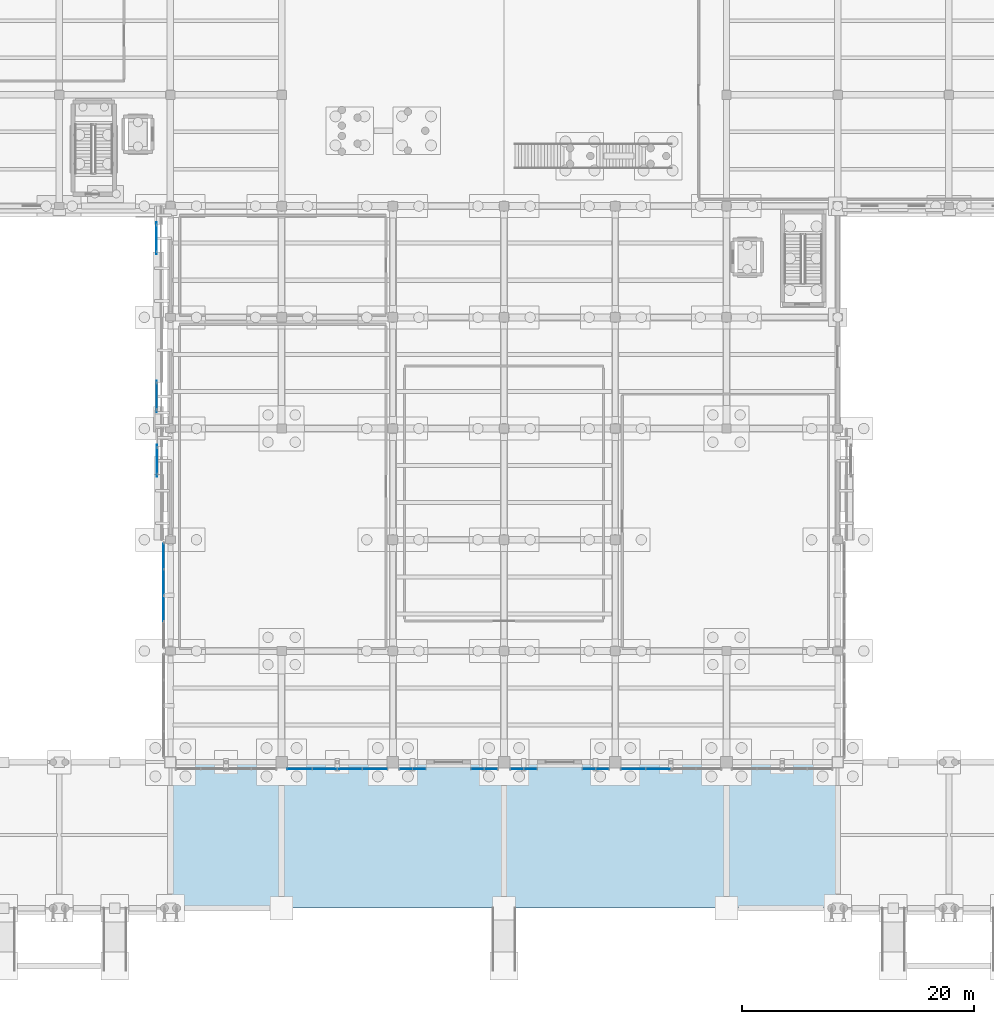
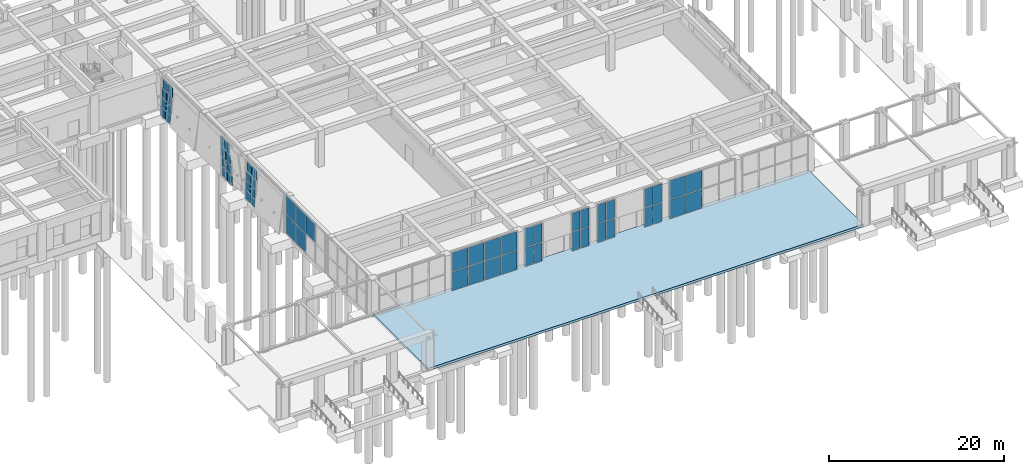
# One storey, part 24 of 51: 57 plates, 1 slab, 10 elements without a shape of their own.
"""IFC4 building model written with IfcOpenShell, lengths in metres."""

from ifc_helpers import new_model, si_unit, direction, frame, origin, origin_2d, place, context, subcontext, project, spatial, polyline, rectangle, outline, extrude, material, layer, layer_set, type_object, element, aggregate, save


model = new_model("IFC4")

# Units and contexts
model_context = context("Model", 3, precision=1e-05, world=origin(), true_north=direction((0.0, 1.0)))
body_context = subcontext(model_context, "Body", "Model", "MODEL_VIEW")
ifc_project = project(units=[si_unit("LENGTHUNIT", "METRE"), si_unit("AREAUNIT", "SQUARE_METRE"), si_unit("VOLUMEUNIT", "CUBIC_METRE"), si_unit("PLANEANGLEUNIT", "RADIAN"), si_unit("MASSUNIT", "GRAM", prefix="KILO")], contexts=[model_context])

# Site, building, storey
site_placement = place(None, origin())
site = spatial("IfcSite", under=ifc_project, at=site_placement, CompositionType="ELEMENT")
building_placement = place(site_placement, origin())
building = spatial("IfcBuilding", under=site, at=building_placement, Name="Bempovik Park Faculty of Sciences", CompositionType="ELEMENT")
storey_placement = place(building_placement, origin())
storey = spatial("IfcBuildingStorey", under=building, at=storey_placement, Name="L00", CompositionType="ELEMENT", Elevation=0.0)

# Curtain wall, plates
ifc_material_1 = material(Name="Tempered laminated low-E glass", Category="glass")
ifc_layer_1 = layer(ifc_material_1, 0.159912109375)
ifc_layer_set_1 = layer_set([ifc_layer_1], Name="Tempered laminated low-E glass")
curtain_wall_type_1 = type_object("IfcCurtainWallType", Name="CW-57 Curtain 7200x5100", PredefinedType="USERDEFINED", material=ifc_layer_set_1)
curtain_wall_1_placement = place(storey_placement, origin())
curtain_wall_1 = element("IfcCurtainWall", 1, at=curtain_wall_1_placement, inside=storey, type_object=curtain_wall_type_1, Name="L00 Recessed Entrance Foyer Curtain Wall (69.6-79.2)", ObjectType="UNITISED CURTAIN WALL", PredefinedType="USERDEFINED")
ifc_layer_2 = layer(ifc_material_1, 0.0400390625)
ifc_layer_set_2 = layer_set([ifc_layer_2], Name="Tempered laminated low-E glass")
plate_type_1 = type_object("IfcPlateType", Name="CP-15 Curtain Panel 40mm", PredefinedType="CURTAIN_PANEL", material=ifc_layer_set_2)
plate_1_placement = place(storey_placement, frame((71.146484375, 19.219970703125, 0.0400390625), z_axis=(0.0, 0.0, 1.0), x_axis=(1.0, 0.0, 0.0)))
plate_1 = element("IfcPlate", 2, at=plate_1_placement, type_object=plate_type_1, Name="CW-FOY-L00-198-696 Panel 0-0", PredefinedType="CURTAIN_PANEL", context=body_context, shape_type="SweptSolid", body=[
    extrude(rectangle(XDim=2.089111328125, YDim=0.035888671875, at=origin_2d()), origin(), (0.0, 0.0, 1.0), 2.6201171875),
])
plate_2_placement = place(storey_placement, frame((71.146484375, 19.219970703125, 2.739990234375), z_axis=(0.0, 0.0, 1.0), x_axis=(1.0, 0.0, 0.0)))
plate_2 = element("IfcPlate", 3, at=plate_2_placement, type_object=plate_type_1, Name="CW-FOY-L00-198-696 Panel 0-1", PredefinedType="CURTAIN_PANEL", context=body_context, shape_type="SweptSolid", body=[
    extrude(rectangle(XDim=2.089111328125, YDim=0.035888671875, at=origin_2d()), origin(), (0.0, 0.0, 1.0), 2.6201171875),
])
plate_3_placement = place(storey_placement, frame((73.3154296875, 19.219970703125, 0.0400390625), z_axis=(0.0, 0.0, 1.0), x_axis=(1.0, 0.0, 0.0)))
plate_3 = element("IfcPlate", 4, at=plate_3_placement, type_object=plate_type_1, Name="CW-FOY-L00-198-696 Panel 1-0", PredefinedType="CURTAIN_PANEL", context=body_context, shape_type="SweptSolid", body=[
    extrude(rectangle(XDim=2.089111328125, YDim=0.035888671875, at=origin_2d()), origin(), (0.0, 0.0, 1.0), 2.6201171875),
])
plate_4_placement = place(storey_placement, frame((73.3154296875, 19.219970703125, 2.739990234375), z_axis=(0.0, 0.0, 1.0), x_axis=(1.0, 0.0, 0.0)))
plate_4 = element("IfcPlate", 5, at=plate_4_placement, type_object=plate_type_1, Name="CW-FOY-L00-198-696 Panel 1-1", PredefinedType="CURTAIN_PANEL", context=body_context, shape_type="SweptSolid", body=[
    extrude(rectangle(XDim=2.089111328125, YDim=0.035888671875, at=origin_2d()), origin(), (0.0, 0.0, 1.0), 2.6201171875),
])
plate_5_placement = place(storey_placement, frame((75.484619140625, 19.219970703125, 0.0400390625), z_axis=(0.0, 0.0, 1.0), x_axis=(1.0, 0.0, 0.0)))
plate_5 = element("IfcPlate", 6, at=plate_5_placement, type_object=plate_type_1, Name="CW-FOY-L00-198-696 Panel 2-0", PredefinedType="CURTAIN_PANEL", context=body_context, shape_type="SweptSolid", body=[
    extrude(rectangle(XDim=2.089111328125, YDim=0.035888671875, at=origin_2d()), origin(), (0.0, 0.0, 1.0), 2.6201171875),
])
plate_6_placement = place(storey_placement, frame((75.484619140625, 19.219970703125, 2.739990234375), z_axis=(0.0, 0.0, 1.0), x_axis=(1.0, 0.0, 0.0)))
plate_6 = element("IfcPlate", 7, at=plate_6_placement, type_object=plate_type_1, Name="CW-FOY-L00-198-696 Panel 2-1", PredefinedType="CURTAIN_PANEL", context=body_context, shape_type="SweptSolid", body=[
    extrude(rectangle(XDim=2.089111328125, YDim=0.035888671875, at=origin_2d()), origin(), (0.0, 0.0, 1.0), 2.6201171875),
])
plate_7_placement = place(storey_placement, frame((77.653564453125, 19.219970703125, 0.0400390625), z_axis=(0.0, 0.0, 1.0), x_axis=(1.0, 0.0, 0.0)))
plate_7 = element("IfcPlate", 8, at=plate_7_placement, type_object=plate_type_1, Name="CW-FOY-L00-198-696 Panel 3-0", PredefinedType="CURTAIN_PANEL", context=body_context, shape_type="SweptSolid", body=[
    extrude(rectangle(XDim=2.089111328125, YDim=0.035888671875, at=origin_2d()), origin(), (0.0, 0.0, 1.0), 2.6201171875),
])
plate_8_placement = place(storey_placement, frame((77.653564453125, 19.219970703125, 2.739990234375), z_axis=(0.0, 0.0, 1.0), x_axis=(1.0, 0.0, 0.0)))
plate_8 = element("IfcPlate", 9, at=plate_8_placement, type_object=plate_type_1, Name="CW-FOY-L00-198-696 Panel 3-1", PredefinedType="CURTAIN_PANEL", context=body_context, shape_type="SweptSolid", body=[
    extrude(rectangle(XDim=2.089111328125, YDim=0.035888671875, at=origin_2d()), origin(), (0.0, 0.0, 1.0), 2.6201171875),
])
aggregate(curtain_wall_1, [plate_1, plate_2, plate_3, plate_4, plate_5, plate_6, plate_7, plate_8])

ifc_layer_3 = layer(ifc_material_1, 0.159912109375)
ifc_layer_set_3 = layer_set([ifc_layer_3], Name="Tempered laminated low-E glass")
curtain_wall_type_2 = type_object("IfcCurtainWallType", Name="CW-27 Curtain 6000x5100", PredefinedType="USERDEFINED", material=ifc_layer_set_3)
curtain_wall_2_placement = place(storey_placement, origin())
curtain_wall_2 = element("IfcCurtainWall", 10, at=curtain_wall_2_placement, inside=storey, type_object=curtain_wall_type_2, Name="L00 Recessed Entrance Foyer Curtain Wall (79.2L)", ObjectType="UNITISED CURTAIN WALL", PredefinedType="USERDEFINED")
plate_9_placement = place(storey_placement, frame((80.321533203125, 19.219970703125, 0.0400390625), z_axis=(0.0, 0.0, 1.0), x_axis=(1.0, 0.0, 0.0)))
plate_9 = element("IfcPlate", 11, at=plate_9_placement, type_object=plate_type_1, Name="CW-FOY-L00-792L Panel 0-0", PredefinedType="CURTAIN_PANEL", context=body_context, shape_type="SweptSolid", body=[
    extrude(rectangle(XDim=1.0791015625, YDim=0.035888671875, at=origin_2d()), origin(), (0.0, 0.0, 1.0), 2.6201171875),
])
plate_10_placement = place(storey_placement, frame((80.321533203125, 19.219970703125, 2.739990234375), z_axis=(0.0, 0.0, 1.0), x_axis=(1.0, 0.0, 0.0)))
plate_10 = element("IfcPlate", 12, at=plate_10_placement, type_object=plate_type_1, Name="CW-FOY-L00-792L Panel 0-1", PredefinedType="CURTAIN_PANEL", context=body_context, shape_type="SweptSolid", body=[
    extrude(rectangle(XDim=1.0791015625, YDim=0.035888671875, at=origin_2d()), origin(), (0.0, 0.0, 1.0), 2.6201171875),
])
plate_11_placement = place(storey_placement, frame((81.48046875, 19.219970703125, 0.0400390625), z_axis=(0.0, 0.0, 1.0), x_axis=(1.0, 0.0, 0.0)))
plate_11 = element("IfcPlate", 13, at=plate_11_placement, type_object=plate_type_1, Name="CW-FOY-L00-792L Panel 1-0", PredefinedType="CURTAIN_PANEL", context=body_context, shape_type="SweptSolid", body=[
    extrude(rectangle(XDim=1.0791015625, YDim=0.035888671875, at=origin_2d()), origin(), (0.0, 0.0, 1.0), 2.6201171875),
])
plate_12_placement = place(storey_placement, frame((81.48046875, 19.219970703125, 2.739990234375), z_axis=(0.0, 0.0, 1.0), x_axis=(1.0, 0.0, 0.0)))
plate_12 = element("IfcPlate", 14, at=plate_12_placement, type_object=plate_type_1, Name="CW-FOY-L00-792L Panel 1-1", PredefinedType="CURTAIN_PANEL", context=body_context, shape_type="SweptSolid", body=[
    extrude(rectangle(XDim=1.0791015625, YDim=0.035888671875, at=origin_2d()), origin(), (0.0, 0.0, 1.0), 2.6201171875),
])
aggregate(curtain_wall_2, [plate_9, plate_10, plate_11, plate_12])

curtain_wall_3_placement = place(storey_placement, origin())
curtain_wall_3 = element("IfcCurtainWall", 15, at=curtain_wall_3_placement, inside=storey, type_object=curtain_wall_type_2, Name="L00 Recessed Entrance Foyer Curtain Wall (79.2R)", ObjectType="UNITISED CURTAIN WALL", PredefinedType="USERDEFINED")
plate_13_placement = place(storey_placement, frame((86.51953125, 19.219970703125, 0.0400390625), z_axis=(0.0, 0.0, 1.0), x_axis=(1.0, 0.0, 0.0)))
plate_13 = element("IfcPlate", 16, at=plate_13_placement, type_object=plate_type_1, Name="CW-FOY-L00-792R Panel 0-0", PredefinedType="CURTAIN_PANEL", context=body_context, shape_type="SweptSolid", body=[
    extrude(rectangle(XDim=1.0791015625, YDim=0.035888671875, at=origin_2d()), origin(), (0.0, 0.0, 1.0), 2.6201171875),
])
plate_14_placement = place(storey_placement, frame((86.51953125, 19.219970703125, 2.739990234375), z_axis=(0.0, 0.0, 1.0), x_axis=(1.0, 0.0, 0.0)))
plate_14 = element("IfcPlate", 17, at=plate_14_placement, type_object=plate_type_1, Name="CW-FOY-L00-792R Panel 0-1", PredefinedType="CURTAIN_PANEL", context=body_context, shape_type="SweptSolid", body=[
    extrude(rectangle(XDim=1.0791015625, YDim=0.035888671875, at=origin_2d()), origin(), (0.0, 0.0, 1.0), 2.6201171875),
])
plate_15_placement = place(storey_placement, frame((87.678466796875, 19.219970703125, 0.0400390625), z_axis=(0.0, 0.0, 1.0), x_axis=(1.0, 0.0, 0.0)))
plate_15 = element("IfcPlate", 18, at=plate_15_placement, type_object=plate_type_1, Name="CW-FOY-L00-792R Panel 1-0", PredefinedType="CURTAIN_PANEL", context=body_context, shape_type="SweptSolid", body=[
    extrude(rectangle(XDim=1.0791015625, YDim=0.035888671875, at=origin_2d()), origin(), (0.0, 0.0, 1.0), 2.6201171875),
])
plate_16_placement = place(storey_placement, frame((87.678466796875, 19.219970703125, 2.739990234375), z_axis=(0.0, 0.0, 1.0), x_axis=(1.0, 0.0, 0.0)))
plate_16 = element("IfcPlate", 19, at=plate_16_placement, type_object=plate_type_1, Name="CW-FOY-L00-792R Panel 1-1", PredefinedType="CURTAIN_PANEL", context=body_context, shape_type="SweptSolid", body=[
    extrude(rectangle(XDim=1.0791015625, YDim=0.035888671875, at=origin_2d()), origin(), (0.0, 0.0, 1.0), 2.6201171875),
])
aggregate(curtain_wall_3, [plate_13, plate_14, plate_15, plate_16])

curtain_wall_4_placement = place(storey_placement, origin())
curtain_wall_4 = element("IfcCurtainWall", 20, at=curtain_wall_4_placement, inside=storey, type_object=curtain_wall_type_2, Name="L00 Recessed Entrance Foyer Curtain Wall (88.8L)", ObjectType="UNITISED CURTAIN WALL", PredefinedType="USERDEFINED")
plate_17_placement = place(storey_placement, frame((89.92138671875, 19.219970703125, 0.0400390625), z_axis=(0.0, 0.0, 1.0), x_axis=(1.0, 0.0, 0.0)))
plate_17 = element("IfcPlate", 21, at=plate_17_placement, type_object=plate_type_1, Name="CW-FOY-L00-888L Panel 0-0", PredefinedType="CURTAIN_PANEL", context=body_context, shape_type="SweptSolid", body=[
    extrude(rectangle(XDim=1.0791015625, YDim=0.035888671875, at=origin_2d()), origin(), (0.0, 0.0, 1.0), 2.6201171875),
])
plate_18_placement = place(storey_placement, frame((89.92138671875, 19.219970703125, 2.739990234375), z_axis=(0.0, 0.0, 1.0), x_axis=(1.0, 0.0, 0.0)))
plate_18 = element("IfcPlate", 22, at=plate_18_placement, type_object=plate_type_1, Name="CW-FOY-L00-888L Panel 0-1", PredefinedType="CURTAIN_PANEL", context=body_context, shape_type="SweptSolid", body=[
    extrude(rectangle(XDim=1.0791015625, YDim=0.035888671875, at=origin_2d()), origin(), (0.0, 0.0, 1.0), 2.6201171875),
])
plate_19_placement = place(storey_placement, frame((91.08056640625, 19.219970703125, 0.0400390625), z_axis=(0.0, 0.0, 1.0), x_axis=(1.0, 0.0, 0.0)))
plate_19 = element("IfcPlate", 23, at=plate_19_placement, type_object=plate_type_1, Name="CW-FOY-L00-888L Panel 1-0", PredefinedType="CURTAIN_PANEL", context=body_context, shape_type="SweptSolid", body=[
    extrude(rectangle(XDim=1.0791015625, YDim=0.035888671875, at=origin_2d()), origin(), (0.0, 0.0, 1.0), 2.6201171875),
])
plate_20_placement = place(storey_placement, frame((91.08056640625, 19.219970703125, 2.739990234375), z_axis=(0.0, 0.0, 1.0), x_axis=(1.0, 0.0, 0.0)))
plate_20 = element("IfcPlate", 24, at=plate_20_placement, type_object=plate_type_1, Name="CW-FOY-L00-888L Panel 1-1", PredefinedType="CURTAIN_PANEL", context=body_context, shape_type="SweptSolid", body=[
    extrude(rectangle(XDim=1.0791015625, YDim=0.035888671875, at=origin_2d()), origin(), (0.0, 0.0, 1.0), 2.6201171875),
])
aggregate(curtain_wall_4, [plate_17, plate_18, plate_19, plate_20])

curtain_wall_5_placement = place(storey_placement, origin())
curtain_wall_5 = element("IfcCurtainWall", 25, at=curtain_wall_5_placement, inside=storey, type_object=curtain_wall_type_2, Name="L00 Recessed Entrance Foyer Curtain Wall (88.8R)", ObjectType="UNITISED CURTAIN WALL", PredefinedType="USERDEFINED")
plate_21_placement = place(storey_placement, frame((96.119384765625, 19.219970703125, 0.0400390625), z_axis=(0.0, 0.0, 1.0), x_axis=(1.0, 0.0, 0.0)))
plate_21 = element("IfcPlate", 26, at=plate_21_placement, type_object=plate_type_1, Name="CW-FOY-L00-888R Panel 0-0", PredefinedType="CURTAIN_PANEL", context=body_context, shape_type="SweptSolid", body=[
    extrude(rectangle(XDim=1.0791015625, YDim=0.035888671875, at=origin_2d()), origin(), (0.0, 0.0, 1.0), 2.6201171875),
])
plate_22_placement = place(storey_placement, frame((96.119384765625, 19.219970703125, 2.739990234375), z_axis=(0.0, 0.0, 1.0), x_axis=(1.0, 0.0, 0.0)))
plate_22 = element("IfcPlate", 27, at=plate_22_placement, type_object=plate_type_1, Name="CW-FOY-L00-888R Panel 0-1", PredefinedType="CURTAIN_PANEL", context=body_context, shape_type="SweptSolid", body=[
    extrude(rectangle(XDim=1.0791015625, YDim=0.035888671875, at=origin_2d()), origin(), (0.0, 0.0, 1.0), 2.6201171875),
])
plate_23_placement = place(storey_placement, frame((97.278564453125, 19.219970703125, 0.0400390625), z_axis=(0.0, 0.0, 1.0), x_axis=(1.0, 0.0, 0.0)))
plate_23 = element("IfcPlate", 28, at=plate_23_placement, type_object=plate_type_1, Name="CW-FOY-L00-888R Panel 1-0", PredefinedType="CURTAIN_PANEL", context=body_context, shape_type="SweptSolid", body=[
    extrude(rectangle(XDim=1.0791015625, YDim=0.035888671875, at=origin_2d()), origin(), (0.0, 0.0, 1.0), 2.6201171875),
])
plate_24_placement = place(storey_placement, frame((97.278564453125, 19.219970703125, 2.739990234375), z_axis=(0.0, 0.0, 1.0), x_axis=(1.0, 0.0, 0.0)))
plate_24 = element("IfcPlate", 29, at=plate_24_placement, type_object=plate_type_1, Name="CW-FOY-L00-888R Panel 1-1", PredefinedType="CURTAIN_PANEL", context=body_context, shape_type="SweptSolid", body=[
    extrude(rectangle(XDim=1.0791015625, YDim=0.035888671875, at=origin_2d()), origin(), (0.0, 0.0, 1.0), 2.6201171875),
])
aggregate(curtain_wall_5, [plate_21, plate_22, plate_23, plate_24])

curtain_wall_6_placement = place(storey_placement, origin())
curtain_wall_6 = element("IfcCurtainWall", 30, at=curtain_wall_6_placement, inside=storey, type_object=curtain_wall_type_1, Name="L00 Recessed Entrance Foyer Curtain Wall (98.4-108.0)", ObjectType="UNITISED CURTAIN WALL", PredefinedType="USERDEFINED")
plate_25_placement = place(storey_placement, frame((99.946533203125, 19.219970703125, 0.0400390625), z_axis=(0.0, 0.0, 1.0), x_axis=(1.0, 0.0, 0.0)))
plate_25 = element("IfcPlate", 31, at=plate_25_placement, type_object=plate_type_1, Name="CW-FOY-L00-198-984 Panel 0-0", PredefinedType="CURTAIN_PANEL", context=body_context, shape_type="SweptSolid", body=[
    extrude(rectangle(XDim=2.089111328125, YDim=0.035888671875, at=origin_2d()), origin(), (0.0, 0.0, 1.0), 2.6201171875),
])
plate_26_placement = place(storey_placement, frame((99.946533203125, 19.219970703125, 2.739990234375), z_axis=(0.0, 0.0, 1.0), x_axis=(1.0, 0.0, 0.0)))
plate_26 = element("IfcPlate", 32, at=plate_26_placement, type_object=plate_type_1, Name="CW-FOY-L00-198-984 Panel 0-1", PredefinedType="CURTAIN_PANEL", context=body_context, shape_type="SweptSolid", body=[
    extrude(rectangle(XDim=2.089111328125, YDim=0.035888671875, at=origin_2d()), origin(), (0.0, 0.0, 1.0), 2.6201171875),
])
plate_27_placement = place(storey_placement, frame((102.115478515625, 19.219970703125, 0.0400390625), z_axis=(0.0, 0.0, 1.0), x_axis=(1.0, 0.0, 0.0)))
plate_27 = element("IfcPlate", 33, at=plate_27_placement, type_object=plate_type_1, Name="CW-FOY-L00-198-984 Panel 1-0", PredefinedType="CURTAIN_PANEL", context=body_context, shape_type="SweptSolid", body=[
    extrude(rectangle(XDim=2.089111328125, YDim=0.035888671875, at=origin_2d()), origin(), (0.0, 0.0, 1.0), 2.6201171875),
])
plate_28_placement = place(storey_placement, frame((102.115478515625, 19.219970703125, 2.739990234375), z_axis=(0.0, 0.0, 1.0), x_axis=(1.0, 0.0, 0.0)))
plate_28 = element("IfcPlate", 34, at=plate_28_placement, type_object=plate_type_1, Name="CW-FOY-L00-198-984 Panel 1-1", PredefinedType="CURTAIN_PANEL", context=body_context, shape_type="SweptSolid", body=[
    extrude(rectangle(XDim=2.089111328125, YDim=0.035888671875, at=origin_2d()), origin(), (0.0, 0.0, 1.0), 2.6201171875),
])
aggregate(curtain_wall_6, [plate_25, plate_26, plate_27, plate_28])

curtain_wall_7_placement = place(storey_placement, origin())
curtain_wall_7 = element("IfcCurtainWall", 35, at=curtain_wall_7_placement, inside=storey, type_object=curtain_wall_type_1, Name="L00 Recessed Entrance Foyer Curtain Wall (29.4-39.0)", ObjectType="UNITISED CURTAIN WALL", PredefinedType="USERDEFINED")
plate_29_placement = place(storey_placement, frame((59.419921875, 33.07177734375, 2.739990234375), z_axis=(0.0, 0.0, 1.0), x_axis=(0.0, 1.0, 0.0)))
plate_29 = element("IfcPlate", 36, at=plate_29_placement, type_object=plate_type_1, Name="CW-FOY-L00-600-294 Panel 1-1", PredefinedType="CURTAIN_PANEL", context=body_context, shape_type="SweptSolid", body=[
    extrude(rectangle(XDim=2.176513671875, YDim=0.035888671875, at=origin_2d()), origin(), (0.0, 0.0, 1.0), 2.6201171875),
])
plate_30_placement = place(storey_placement, frame((59.419921875, 35.328125, 0.0400390625), z_axis=(0.0, 0.0, 1.0), x_axis=(0.0, 1.0, 0.0)))
plate_30 = element("IfcPlate", 37, at=plate_30_placement, type_object=plate_type_1, Name="CW-FOY-L00-600-294 Panel 2-0", PredefinedType="CURTAIN_PANEL", context=body_context, shape_type="SweptSolid", body=[
    extrude(rectangle(XDim=2.176513671875, YDim=0.035888671875, at=origin_2d()), origin(), (0.0, 0.0, 1.0), 2.6201171875),
])
plate_31_placement = place(storey_placement, frame((59.419921875, 35.328125, 2.739990234375), z_axis=(0.0, 0.0, 1.0), x_axis=(0.0, 1.0, 0.0)))
plate_31 = element("IfcPlate", 38, at=plate_31_placement, type_object=plate_type_1, Name="CW-FOY-L00-600-294 Panel 2-1", PredefinedType="CURTAIN_PANEL", context=body_context, shape_type="SweptSolid", body=[
    extrude(rectangle(XDim=2.176513671875, YDim=0.035888671875, at=origin_2d()), origin(), (0.0, 0.0, 1.0), 2.6201171875),
])
plate_32_placement = place(storey_placement, frame((59.419921875, 37.584716796875, 0.0400390625), z_axis=(0.0, 0.0, 1.0), x_axis=(0.0, 1.0, 0.0)))
plate_32 = element("IfcPlate", 39, at=plate_32_placement, type_object=plate_type_1, Name="CW-FOY-L00-600-294 Panel 3-0", PredefinedType="CURTAIN_PANEL", context=body_context, shape_type="SweptSolid", body=[
    extrude(rectangle(XDim=2.176513671875, YDim=0.035888671875, at=origin_2d()), origin(), (0.0, 0.0, 1.0), 2.6201171875),
])
plate_33_placement = place(storey_placement, frame((59.419921875, 37.584716796875, 2.739990234375), z_axis=(0.0, 0.0, 1.0), x_axis=(0.0, 1.0, 0.0)))
plate_33 = element("IfcPlate", 40, at=plate_33_placement, type_object=plate_type_1, Name="CW-FOY-L00-600-294 Panel 3-1", PredefinedType="CURTAIN_PANEL", context=body_context, shape_type="SweptSolid", body=[
    extrude(rectangle(XDim=2.176513671875, YDim=0.035888671875, at=origin_2d()), origin(), (0.0, 0.0, 1.0), 2.6201171875),
])
aggregate(curtain_wall_7, [plate_29, plate_30, plate_31, plate_32, plate_33])

ifc_layer_4 = layer(ifc_material_1, 0.159912109375)
ifc_layer_set_4 = layer_set([ifc_layer_4], Name="Tempered laminated low-E glass")
curtain_wall_type_3 = type_object("IfcCurtainWallType", Name="CW-59 Curtain 2400x4500", PredefinedType="USERDEFINED", material=ifc_layer_set_4)
curtain_wall_8_placement = place(storey_placement, origin())
curtain_wall_8 = element("IfcCurtainWall", 41, at=curtain_wall_8_placement, inside=storey, type_object=curtain_wall_type_3, Name="L00 Crystal Slantwise Light Fold (60.0,39.0)", ObjectType="UNITISED CURTAIN WALL", PredefinedType="USERDEFINED")
ifc_layer_5 = layer(ifc_material_1, 0.035888671875)
ifc_layer_set_5 = layer_set([ifc_layer_5], Name="Tempered laminated low-E glass")
plate_type_2 = type_object("IfcPlateType", Name="CP-22 Curtain Panel 36mm", PredefinedType="CURTAIN_PANEL", material=ifc_layer_set_5)
plate_34_placement = place(storey_placement, frame((58.855712890625, 45.5048828125, 0.0), z_axis=(0.0, 0.0, 1.0), x_axis=(0.0, 1.0, 0.0)))
plate_34 = element("IfcPlate", 42, at=plate_34_placement, type_object=plate_type_2, Name="CW-FOLD-L00-600-390 Panel 0-0", PredefinedType="CURTAIN_PANEL", context=body_context, shape_type="SweptSolid", body=[
    extrude(rectangle(XDim=1.070068359375, YDim=0.035888671875, at=origin_2d()), origin(), (0.0, 0.0, 1.0), 1.2900390625),
])
plate_35_placement = place(storey_placement, frame((58.855712890625, 45.3349609375, 1.369873046875), z_axis=(0.0, 0.0, 1.0), x_axis=(0.0, 1.0, 0.0)))
plate_35 = element("IfcPlate", 43, at=plate_35_placement, type_object=plate_type_2, Name="CW-FOLD-L00-600-390 Panel 0-1", PredefinedType="CURTAIN_PANEL", context=body_context, shape_type="SweptSolid", body=[
    extrude(rectangle(XDim=1.070068359375, YDim=0.035888671875, at=origin_2d()), origin(), (0.0, 0.0, 1.0), 1.2900390625),
])
plate_36_placement = place(storey_placement, frame((58.855712890625, 45.1650390625, 2.739990234375), z_axis=(0.0, 0.0, 1.0), x_axis=(0.0, 1.0, 0.0)))
plate_36 = element("IfcPlate", 44, at=plate_36_placement, type_object=plate_type_2, Name="CW-FOLD-L00-600-390 Panel 0-2", PredefinedType="CURTAIN_PANEL", context=body_context, shape_type="SweptSolid", body=[
    extrude(rectangle(XDim=1.070068359375, YDim=0.035888671875, at=origin_2d()), origin(), (0.0, 0.0, 1.0), 1.2900390625),
])
plate_37_placement = place(storey_placement, frame((58.855712890625, 44.9951171875, 4.10986328125), z_axis=(0.0, 0.0, 1.0), x_axis=(0.0, 1.0, 0.0)))
plate_37 = element("IfcPlate", 45, at=plate_37_placement, type_object=plate_type_2, Name="CW-FOLD-L00-600-390 Panel 0-3", PredefinedType="CURTAIN_PANEL", context=body_context, shape_type="SweptSolid", body=[
    extrude(rectangle(XDim=1.070068359375, YDim=0.035888671875, at=origin_2d()), origin(), (0.0, 0.0, 1.0), 1.2900390625),
])
plate_38_placement = place(storey_placement, frame((58.855712890625, 46.655029296875, 0.0), z_axis=(0.0, 0.0, 1.0), x_axis=(0.0, 1.0, 0.0)))
plate_38 = element("IfcPlate", 46, at=plate_38_placement, type_object=plate_type_2, Name="CW-FOLD-L00-600-390 Panel 1-0", PredefinedType="CURTAIN_PANEL", context=body_context, shape_type="SweptSolid", body=[
    extrude(rectangle(XDim=1.070068359375, YDim=0.035888671875, at=origin_2d()), origin(), (0.0, 0.0, 1.0), 1.2900390625),
])
plate_39_placement = place(storey_placement, frame((58.855712890625, 46.485107421875, 1.369873046875), z_axis=(0.0, 0.0, 1.0), x_axis=(0.0, 1.0, 0.0)))
plate_39 = element("IfcPlate", 47, at=plate_39_placement, type_object=plate_type_2, Name="CW-FOLD-L00-600-390 Panel 1-1", PredefinedType="CURTAIN_PANEL", context=body_context, shape_type="SweptSolid", body=[
    extrude(rectangle(XDim=1.070068359375, YDim=0.035888671875, at=origin_2d()), origin(), (0.0, 0.0, 1.0), 1.2900390625),
])
plate_40_placement = place(storey_placement, frame((58.855712890625, 46.31494140625, 2.739990234375), z_axis=(0.0, 0.0, 1.0), x_axis=(0.0, 1.0, 0.0)))
plate_40 = element("IfcPlate", 48, at=plate_40_placement, type_object=plate_type_2, Name="CW-FOLD-L00-600-390 Panel 1-2", PredefinedType="CURTAIN_PANEL", context=body_context, shape_type="SweptSolid", body=[
    extrude(rectangle(XDim=1.070068359375, YDim=0.035888671875, at=origin_2d()), origin(), (0.0, 0.0, 1.0), 1.2900390625),
])
plate_41_placement = place(storey_placement, frame((58.855712890625, 46.14501953125, 4.10986328125), z_axis=(0.0, 0.0, 1.0), x_axis=(0.0, 1.0, 0.0)))
plate_41 = element("IfcPlate", 49, at=plate_41_placement, type_object=plate_type_2, Name="CW-FOLD-L00-600-390 Panel 1-3", PredefinedType="CURTAIN_PANEL", context=body_context, shape_type="SweptSolid", body=[
    extrude(rectangle(XDim=1.070068359375, YDim=0.035888671875, at=origin_2d()), origin(), (0.0, 0.0, 1.0), 1.2900390625),
])
aggregate(curtain_wall_8, [plate_34, plate_35, plate_36, plate_37, plate_38, plate_39, plate_40, plate_41])

curtain_wall_9_placement = place(storey_placement, origin())
curtain_wall_9 = element("IfcCurtainWall", 50, at=curtain_wall_9_placement, inside=storey, type_object=curtain_wall_type_3, Name="L00 Crystal Slantwise Light Fold (60.0,48.6)", ObjectType="UNITISED CURTAIN WALL", PredefinedType="USERDEFINED")
plate_42_placement = place(storey_placement, frame((58.817626953125, 50.544921875, 0.0), z_axis=(0.0, 0.0, 1.0), x_axis=(0.0, 1.0, 0.0)))
plate_42 = element("IfcPlate", 51, at=plate_42_placement, type_object=plate_type_2, Name="CW-FOLD-L00-600-486 Panel 0-0", PredefinedType="CURTAIN_PANEL", context=body_context, shape_type="SweptSolid", body=[
    extrude(rectangle(XDim=1.070068359375, YDim=0.035888671875, at=origin_2d()), origin(), (0.0, 0.0, 1.0), 1.2900390625),
])
plate_43_placement = place(storey_placement, frame((58.817626953125, 50.715087890625, 1.369873046875), z_axis=(0.0, 0.0, 1.0), x_axis=(0.0, 1.0, 0.0)))
plate_43 = element("IfcPlate", 52, at=plate_43_placement, type_object=plate_type_2, Name="CW-FOLD-L00-600-486 Panel 0-1", PredefinedType="CURTAIN_PANEL", context=body_context, shape_type="SweptSolid", body=[
    extrude(rectangle(XDim=1.070068359375, YDim=0.035888671875, at=origin_2d()), origin(), (0.0, 0.0, 1.0), 1.2900390625),
])
plate_44_placement = place(storey_placement, frame((58.817626953125, 50.885009765625, 2.739990234375), z_axis=(0.0, 0.0, 1.0), x_axis=(0.0, 1.0, 0.0)))
plate_44 = element("IfcPlate", 53, at=plate_44_placement, type_object=plate_type_2, Name="CW-FOLD-L00-600-486 Panel 0-2", PredefinedType="CURTAIN_PANEL", context=body_context, shape_type="SweptSolid", body=[
    extrude(rectangle(XDim=1.070068359375, YDim=0.035888671875, at=origin_2d()), origin(), (0.0, 0.0, 1.0), 1.2900390625),
])
plate_45_placement = place(storey_placement, frame((58.817626953125, 51.054931640625, 4.10986328125), z_axis=(0.0, 0.0, 1.0), x_axis=(0.0, 1.0, 0.0)))
plate_45 = element("IfcPlate", 54, at=plate_45_placement, type_object=plate_type_2, Name="CW-FOLD-L00-600-486 Panel 0-3", PredefinedType="CURTAIN_PANEL", context=body_context, shape_type="SweptSolid", body=[
    extrude(rectangle(XDim=1.070068359375, YDim=0.035888671875, at=origin_2d()), origin(), (0.0, 0.0, 1.0), 1.2900390625),
])
plate_46_placement = place(storey_placement, frame((58.817626953125, 51.695068359375, 0.0), z_axis=(0.0, 0.0, 1.0), x_axis=(0.0, 1.0, 0.0)))
plate_46 = element("IfcPlate", 55, at=plate_46_placement, type_object=plate_type_2, Name="CW-FOLD-L00-600-486 Panel 1-0", PredefinedType="CURTAIN_PANEL", context=body_context, shape_type="SweptSolid", body=[
    extrude(rectangle(XDim=1.070068359375, YDim=0.035888671875, at=origin_2d()), origin(), (0.0, 0.0, 1.0), 1.2900390625),
])
plate_47_placement = place(storey_placement, frame((58.817626953125, 51.864990234375, 1.369873046875), z_axis=(0.0, 0.0, 1.0), x_axis=(0.0, 1.0, 0.0)))
plate_47 = element("IfcPlate", 56, at=plate_47_placement, type_object=plate_type_2, Name="CW-FOLD-L00-600-486 Panel 1-1", PredefinedType="CURTAIN_PANEL", context=body_context, shape_type="SweptSolid", body=[
    extrude(rectangle(XDim=1.070068359375, YDim=0.035888671875, at=origin_2d()), origin(), (0.0, 0.0, 1.0), 1.2900390625),
])
plate_48_placement = place(storey_placement, frame((58.817626953125, 52.034912109375, 2.739990234375), z_axis=(0.0, 0.0, 1.0), x_axis=(0.0, 1.0, 0.0)))
plate_48 = element("IfcPlate", 57, at=plate_48_placement, type_object=plate_type_2, Name="CW-FOLD-L00-600-486 Panel 1-2", PredefinedType="CURTAIN_PANEL", context=body_context, shape_type="SweptSolid", body=[
    extrude(rectangle(XDim=1.070068359375, YDim=0.035888671875, at=origin_2d()), origin(), (0.0, 0.0, 1.0), 1.2900390625),
])
plate_49_placement = place(storey_placement, frame((58.817626953125, 52.205078125, 4.10986328125), z_axis=(0.0, 0.0, 1.0), x_axis=(0.0, 1.0, 0.0)))
plate_49 = element("IfcPlate", 58, at=plate_49_placement, type_object=plate_type_2, Name="CW-FOLD-L00-600-486 Panel 1-3", PredefinedType="CURTAIN_PANEL", context=body_context, shape_type="SweptSolid", body=[
    extrude(rectangle(XDim=1.070068359375, YDim=0.035888671875, at=origin_2d()), origin(), (0.0, 0.0, 1.0), 1.2900390625),
])
aggregate(curtain_wall_9, [plate_42, plate_43, plate_44, plate_45, plate_46, plate_47, plate_48, plate_49])

curtain_wall_10_placement = place(storey_placement, origin())
curtain_wall_10 = element("IfcCurtainWall", 59, at=curtain_wall_10_placement, inside=storey, type_object=curtain_wall_type_3, Name="L00 Crystal Slantwise Light Fold (60.0,58.2)", ObjectType="UNITISED CURTAIN WALL", PredefinedType="USERDEFINED")
plate_50_placement = place(storey_placement, frame((58.798583984375, 64.705078125, 0.0), z_axis=(0.0, 0.0, 1.0), x_axis=(0.0, 1.0, 0.0)))
plate_50 = element("IfcPlate", 60, at=plate_50_placement, type_object=plate_type_2, Name="CW-FOLD-L00-600-582 Panel 0-0", PredefinedType="CURTAIN_PANEL", context=body_context, shape_type="SweptSolid", body=[
    extrude(rectangle(XDim=1.070068359375, YDim=0.035888671875, at=origin_2d()), origin(), (0.0, 0.0, 1.0), 1.2900390625),
])
plate_51_placement = place(storey_placement, frame((58.798583984375, 64.534912109375, 1.369873046875), z_axis=(0.0, 0.0, 1.0), x_axis=(0.0, 1.0, 0.0)))
plate_51 = element("IfcPlate", 61, at=plate_51_placement, type_object=plate_type_2, Name="CW-FOLD-L00-600-582 Panel 0-1", PredefinedType="CURTAIN_PANEL", context=body_context, shape_type="SweptSolid", body=[
    extrude(rectangle(XDim=1.070068359375, YDim=0.035888671875, at=origin_2d()), origin(), (0.0, 0.0, 1.0), 1.2900390625),
])
plate_52_placement = place(storey_placement, frame((58.798583984375, 64.364990234375, 2.739990234375), z_axis=(0.0, 0.0, 1.0), x_axis=(0.0, 1.0, 0.0)))
plate_52 = element("IfcPlate", 62, at=plate_52_placement, type_object=plate_type_2, Name="CW-FOLD-L00-600-582 Panel 0-2", PredefinedType="CURTAIN_PANEL", context=body_context, shape_type="SweptSolid", body=[
    extrude(rectangle(XDim=1.070068359375, YDim=0.035888671875, at=origin_2d()), origin(), (0.0, 0.0, 1.0), 1.2900390625),
])
plate_53_placement = place(storey_placement, frame((58.798583984375, 64.195068359375, 4.10986328125), z_axis=(0.0, 0.0, 1.0), x_axis=(0.0, 1.0, 0.0)))
plate_53 = element("IfcPlate", 63, at=plate_53_placement, type_object=plate_type_2, Name="CW-FOLD-L00-600-582 Panel 0-3", PredefinedType="CURTAIN_PANEL", context=body_context, shape_type="SweptSolid", body=[
    extrude(rectangle(XDim=1.070068359375, YDim=0.035888671875, at=origin_2d()), origin(), (0.0, 0.0, 1.0), 1.2900390625),
])
plate_54_placement = place(storey_placement, frame((58.798583984375, 65.85498046875, 0.0), z_axis=(0.0, 0.0, 1.0), x_axis=(0.0, 1.0, 0.0)))
plate_54 = element("IfcPlate", 64, at=plate_54_placement, type_object=plate_type_2, Name="CW-FOLD-L00-600-582 Panel 1-0", PredefinedType="CURTAIN_PANEL", context=body_context, shape_type="SweptSolid", body=[
    extrude(rectangle(XDim=1.070068359375, YDim=0.035888671875, at=origin_2d()), origin(), (0.0, 0.0, 1.0), 1.2900390625),
])
plate_55_placement = place(storey_placement, frame((58.798583984375, 65.68505859375, 1.369873046875), z_axis=(0.0, 0.0, 1.0), x_axis=(0.0, 1.0, 0.0)))
plate_55 = element("IfcPlate", 65, at=plate_55_placement, type_object=plate_type_2, Name="CW-FOLD-L00-600-582 Panel 1-1", PredefinedType="CURTAIN_PANEL", context=body_context, shape_type="SweptSolid", body=[
    extrude(rectangle(XDim=1.070068359375, YDim=0.035888671875, at=origin_2d()), origin(), (0.0, 0.0, 1.0), 1.2900390625),
])
plate_56_placement = place(storey_placement, frame((58.798583984375, 65.514892578125, 2.739990234375), z_axis=(0.0, 0.0, 1.0), x_axis=(0.0, 1.0, 0.0)))
plate_56 = element("IfcPlate", 66, at=plate_56_placement, type_object=plate_type_2, Name="CW-FOLD-L00-600-582 Panel 1-2", PredefinedType="CURTAIN_PANEL", context=body_context, shape_type="SweptSolid", body=[
    extrude(rectangle(XDim=1.070068359375, YDim=0.035888671875, at=origin_2d()), origin(), (0.0, 0.0, 1.0), 1.2900390625),
])
plate_57_placement = place(storey_placement, frame((58.798583984375, 65.344970703125, 4.10986328125), z_axis=(0.0, 0.0, 1.0), x_axis=(0.0, 1.0, 0.0)))
plate_57 = element("IfcPlate", 67, at=plate_57_placement, type_object=plate_type_2, Name="CW-FOLD-L00-600-582 Panel 1-3", PredefinedType="CURTAIN_PANEL", context=body_context, shape_type="SweptSolid", body=[
    extrude(rectangle(XDim=1.070068359375, YDim=0.035888671875, at=origin_2d()), origin(), (0.0, 0.0, 1.0), 1.2900390625),
])
aggregate(curtain_wall_10, [plate_50, plate_51, plate_52, plate_53, plate_54, plate_55, plate_56, plate_57])

# Slab
ifc_material_2 = material(Name="Concrete C40/50", Category="concrete")
ifc_layer_6 = layer(ifc_material_2, 0.340087890625)
ifc_layer_set_6 = layer_set([ifc_layer_6], Name="Concrete C40/50")
slab_type = type_object("IfcSlabType", Name="S-20 Slab 340mm", PredefinedType="FLOOR", material=ifc_layer_set_6)
slab_placement = place(storey_placement, frame((0.0, 0.0, -0.340087890625)))
element("IfcSlab", 68, at=slab_placement, inside=storey, type_object=slab_type, Name="L00 Crystal Entrance Portico Slab", PredefinedType="FLOOR", context=body_context, shape_type="SweptSolid", body=[
    extrude(outline(polyline([(60.0, 7.199951171875), (117.60009765625, 7.199951171875), (117.60009765625, 19.800048828125), (60.0, 19.800048828125), (60.0, 7.199951171875)])), origin(), (0.0, 0.0, 1.0), 0.340087890625),
])

save(model, "model.ifc")
